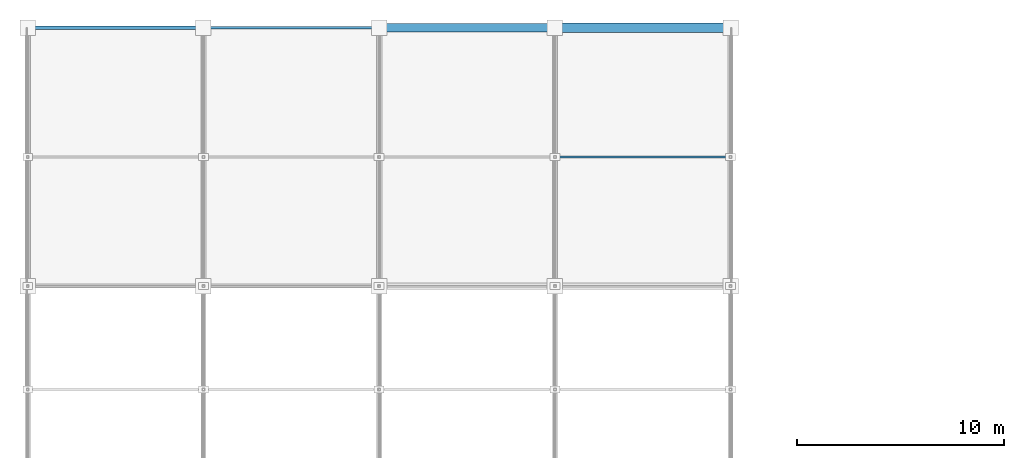
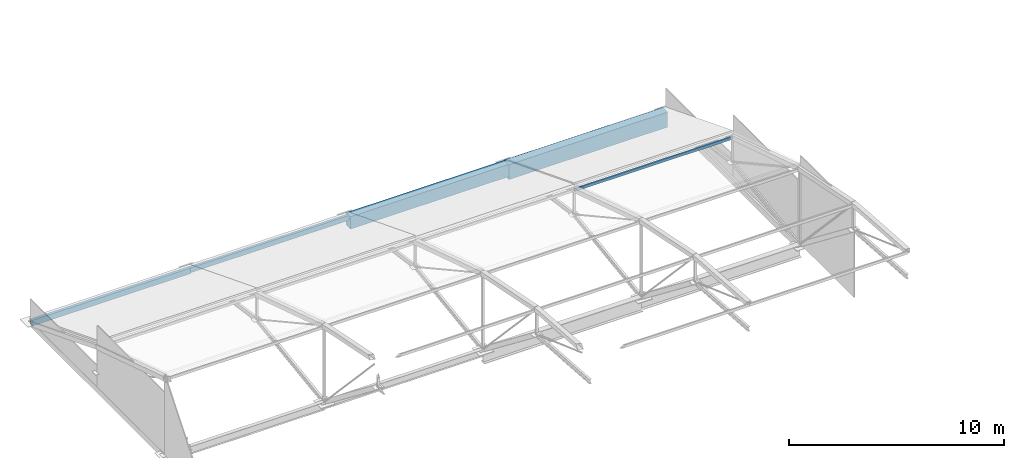
# One storey, part 36 of 66: 4 beams, 1 member.
"""IFC4 building model written with IfcOpenShell, lengths in metres."""

from ifc_helpers import new_model, si_unit, direction, frame, origin, origin_2d, place, context, subcontext, project, spatial, rectangle, hollow_rectangle, extrude, material, material_profile, profile_set, type_object, element, save


model = new_model("IFC4")

# Units and contexts
model_context = context("Model", 3, precision=1e-05, world=origin(), true_north=direction((0.0, 1.0)))
body_context = subcontext(model_context, "Body", "Model", "MODEL_VIEW")
ifc_project = project(units=[si_unit("LENGTHUNIT", "METRE"), si_unit("AREAUNIT", "SQUARE_METRE"), si_unit("VOLUMEUNIT", "CUBIC_METRE"), si_unit("PLANEANGLEUNIT", "RADIAN"), si_unit("MASSUNIT", "GRAM", prefix="KILO")], contexts=[model_context])

# Site, building, storey
site_placement = place(None, origin())
site = spatial("IfcSite", under=ifc_project, at=site_placement, CompositionType="ELEMENT")
building_placement = place(site_placement, origin())
building = spatial("IfcBuilding", under=site, at=building_placement, Name="Solvikara Media Centre", CompositionType="ELEMENT")
storey_placement = place(building_placement, frame((0.0, 0.0, 19.800048828125)))
storey = spatial("IfcBuildingStorey", under=building, at=storey_placement, Name="L04", CompositionType="ELEMENT", Elevation=19.800048828125)

# Beams
ifc_material_1 = material(Name="Concrete fc' 35 MPa (C35/45)", Category="concrete")
ifc_material_profile_1 = material_profile(ifc_material_1, rectangle(XDim=0.39990234375, YDim=0.699951171875, at=origin_2d()), Name="RC 400x700")
ifc_profile_set_1 = profile_set([ifc_material_profile_1], Name="Concrete fc' 35 MPa (C35/45)")
beam_type_1 = type_object("IfcBeamType", Name="BM-13", PredefinedType="SPANDREL", material=ifc_profile_set_1)
beam_1_placement = place(storey_placement, frame((17.0, 114.0, -0.449951171875), z_axis=(1.0, 0.0, 0.0), x_axis=(0.0, 1.0, 0.0)))
element("IfcBeam", 1, at=beam_1_placement, inside=storey, type_object=beam_type_1, Name="B-L04-X1489", PredefinedType="SPANDREL", context=body_context, shape_type="SweptSolid", body=[
    extrude(rectangle(XDim=0.39990234375, YDim=0.699951171875, at=origin_2d()), origin(), (0.0, 0.0, 1.0), 8.5),
])
ifc_material_profile_2 = material_profile(ifc_material_1, rectangle(XDim=0.449951171875, YDim=0.85009765625, at=origin_2d()), Name="RC 450x850")
ifc_profile_set_2 = profile_set([ifc_material_profile_2], Name="Concrete fc' 35 MPa (C35/45)")
beam_type_2 = type_object("IfcBeamType", Name="BM-14", PredefinedType="SPANDREL", material=ifc_profile_set_2)
beam_2_placement = place(storey_placement, frame((25.5, 114.0, -0.525146484375), z_axis=(1.0, 0.0, 0.0), x_axis=(0.0, 1.0, 0.0)))
element("IfcBeam", 2, at=beam_2_placement, inside=storey, type_object=beam_type_2, Name="B-L04-X1490", PredefinedType="SPANDREL", context=body_context, shape_type="SweptSolid", body=[
    extrude(rectangle(XDim=0.449951171875, YDim=0.85009765625, at=origin_2d()), origin(), (0.0, 0.0, 1.0), 8.5),
])
ifc_material_2 = material(Name="Steel S355JR", Category="steel")
ifc_material_profile_3 = material_profile(ifc_material_2, hollow_rectangle(XDim=0.159912109375, YDim=0.320068359375, WallThickness=0.010009765625, at=origin_2d()), Name="RHS 320x160x10")
ifc_profile_set_3 = profile_set([ifc_material_profile_3], Name="Steel S355JR")
beam_type_3 = type_object("IfcBeamType", Name="BM-45", PredefinedType="SPANDREL", material=ifc_profile_set_3)
beam_3_placement = place(storey_placement, frame((0.0, 114.0, -0.260009765625), z_axis=(1.0, 0.0, 0.0), x_axis=(0.0, 1.0, 0.0)))
element("IfcBeam", 3, at=beam_3_placement, inside=storey, type_object=beam_type_3, Name="B-L04-X1487", PredefinedType="SPANDREL", context=body_context, shape_type="SweptSolid", body=[
    extrude(hollow_rectangle(XDim=0.159912109375, YDim=0.320068359375, WallThickness=0.010009765625, at=origin_2d()), origin(), (0.0, 0.0, 1.0), 8.5),
])
ifc_material_profile_4 = material_profile(ifc_material_2, hollow_rectangle(XDim=0.139892578125, YDim=0.280029296875, WallThickness=0.008056640625, at=origin_2d()), Name="RHS 280x140x8")
ifc_profile_set_4 = profile_set([ifc_material_profile_4], Name="Steel S355JR")
beam_type_4 = type_object("IfcBeamType", Name="BM-46", PredefinedType="SPANDREL", material=ifc_profile_set_4)
beam_4_placement = place(storey_placement, frame((8.5, 114.0, -0.239990234375), z_axis=(1.0, 0.0, 0.0), x_axis=(0.0, 1.0, 0.0)))
element("IfcBeam", 4, at=beam_4_placement, inside=storey, type_object=beam_type_4, Name="B-L04-X1488", PredefinedType="SPANDREL", context=body_context, shape_type="SweptSolid", body=[
    extrude(hollow_rectangle(XDim=0.139892578125, YDim=0.280029296875, WallThickness=0.008056640625, at=origin_2d()), origin(), (0.0, 0.0, 1.0), 8.5),
])

# Member
ifc_material_profile_5 = material_profile(ifc_material_2, hollow_rectangle(XDim=0.080078125, YDim=0.159912109375, WallThickness=0.0048828125, at=origin_2d()), Name="RHS 160x80x5")
ifc_profile_set_5 = profile_set([ifc_material_profile_5], Name="Steel S355JR")
member_type = type_object("IfcMemberType", Name="MB-19", PredefinedType="PURLIN", material=ifc_profile_set_5)
member_placement = place(storey_placement, frame((25.5, 107.75, 2.120849609375), z_axis=(1.0, 0.0, 0.0), x_axis=(0.0, 1.0, 0.0)))
element("IfcMember", 5, at=member_placement, inside=storey, type_object=member_type, Name="AM-PRL-03-01", PredefinedType="PURLIN", context=body_context, shape_type="SweptSolid", body=[
    extrude(hollow_rectangle(XDim=0.080078125, YDim=0.159912109375, WallThickness=0.0048828125, at=origin_2d()), origin(), (0.0, 0.0, 1.0), 8.5),
])

save(model, "model.ifc")
